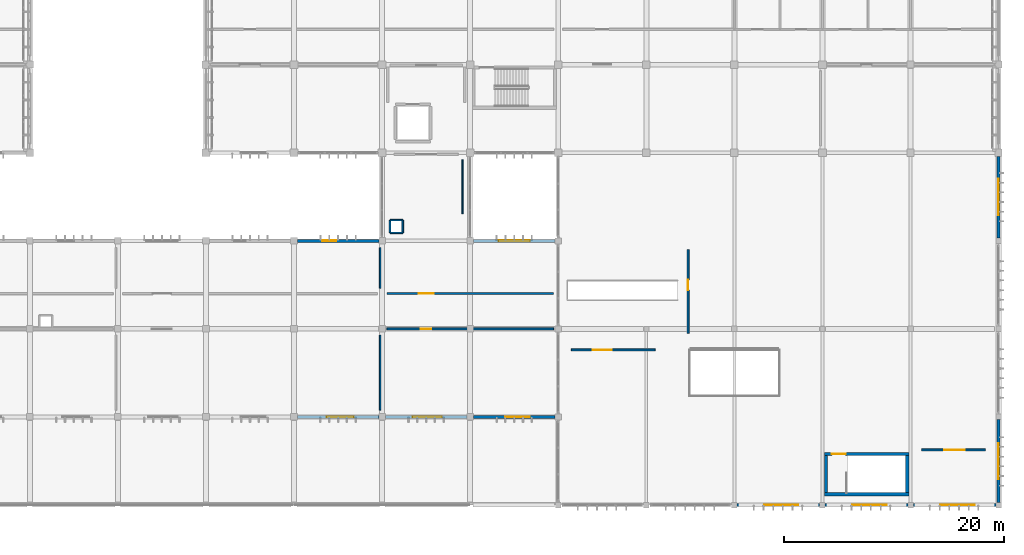
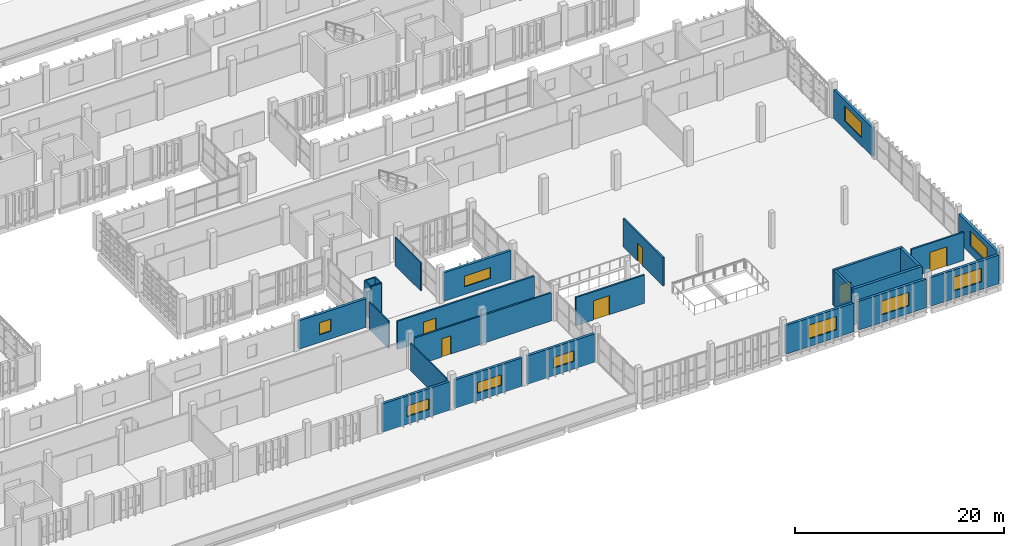
# One storey, part 118 of 137: 26 walls, 10 windows, 6 doors, 16 openings.
"""IFC4 building model written with IfcOpenShell, lengths in metres."""

from ifc_helpers import new_model, si_unit, direction, frame, frame_2d, origin, place, context, subcontext, project, spatial, rectangle, extrude, material, layer, layer_set, type_object, element, fill, save


model = new_model("IFC4")

# Units and contexts
model_context = context("Model", 3, precision=1e-05, world=origin(), true_north=direction((0.0, 1.0)))
body_context = subcontext(model_context, "Body", "Model", "MODEL_VIEW")
ifc_project = project(units=[si_unit("LENGTHUNIT", "METRE"), si_unit("AREAUNIT", "SQUARE_METRE"), si_unit("VOLUMEUNIT", "CUBIC_METRE"), si_unit("PLANEANGLEUNIT", "RADIAN"), si_unit("MASSUNIT", "GRAM", prefix="KILO")], contexts=[model_context])

# Site, building, storey
site_placement = place(None, origin())
site = spatial("IfcSite", under=ifc_project, at=site_placement, CompositionType="ELEMENT")
building_placement = place(site_placement, origin())
building = spatial("IfcBuilding", under=site, at=building_placement, Name="Jelvoka-Kovrelna Polytechnic", CompositionType="ELEMENT")
storey_placement = place(building_placement, frame((0.0, 0.0, 9.60009765625)))
storey = spatial("IfcBuildingStorey", under=building, at=storey_placement, Name="L03", CompositionType="ELEMENT", Elevation=9.60009765625)

# Wall, opening, door
ifc_material_1 = material(Name="Concrete C40/50", Category="concrete")
ifc_layer_1 = layer(ifc_material_1, 0.25)
ifc_layer_set_1 = layer_set([ifc_layer_1], Name="Concrete C40/50")
wall_type_1 = type_object("IfcWallType", Name="Wall_Core_250", PredefinedType="SOLIDWALL", material=ifc_layer_set_1)
wall_1_placement = place(storey_placement, frame((184.199951171875, 4.639892578125, 0.0), z_axis=(0.0, 0.0, 1.0), x_axis=(1.0, 0.0, 0.0)))
wall_1 = element("IfcWall", 1, at=wall_1_placement, inside=storey, type_object=wall_type_1, Name="L03 interior wall 0059", PredefinedType="SOLIDWALL", context=body_context, shape_type="SweptSolid", body=[
    extrude(rectangle(XDim=7.650146484375, YDim=0.25, at=frame_2d((3.8251953125, 0.0))), origin(), (0.0, 0.0, 1.0), 4.199951171875),
])
opening_1_placement = place(wall_1_placement, frame((0.64990234375, 0.0, 0.0)))
opening_1 = element("IfcOpeningElement", 2, at=opening_1_placement, cuts=wall_1, Name="Opening SD-L03-015", PredefinedType="OPENING", context=body_context, shape_type="SweptSolid", body=[
    extrude(rectangle(XDim=1.25, YDim=2.14990234375, at=frame_2d((0.625, 1.074951171875))), frame((0.0, 0.135009765625, 0.0), z_axis=(0.0, -1.0, 0.0), x_axis=(1.0, 0.0, 0.0)), (0.0, 0.0, 1.0), 0.27001953125),
])
ifc_material_2 = material(Name="Powder-coated steel fire door", Category="steel")
door_type_1 = type_object("IfcDoorType", Name="Door_Fire_FD02", OperationType="NOTDEFINED", PredefinedType="DOOR", material=ifc_material_2)
door_1_placement = place(opening_1_placement, origin())
door_1 = element("IfcDoor", 3, at=door_1_placement, inside=storey, type_object=door_type_1, Name="L03 interior door SD-L03-015", OperationType="SINGLE_SWING_LEFT", OverallHeight=2.14990234375, OverallWidth=1.25, PredefinedType="DOOR", context=body_context, shape_type="SweptSolid", body=[
    extrude(rectangle(XDim=1.25, YDim=2.14990234375, at=frame_2d((0.625, 1.074951171875))), frame((0.0, 0.02490234375, 0.0), z_axis=(0.0, -1.0, 0.0), x_axis=(1.0, 0.0, 0.0)), (0.0, 0.0, 1.0), 0.050048828125),
])
fill(opening_1, door_1)

# Wall
wall_2_placement = place(storey_placement, frame((184.324951171875, 1.14990234375, 0.0), z_axis=(0.0, 0.0, 1.0), x_axis=(0.0, 1.0, 0.0)))
element("IfcWall", 4, at=wall_2_placement, inside=storey, type_object=wall_type_1, Name="L03 interior wall 0060", PredefinedType="SOLIDWALL", context=body_context, shape_type="SweptSolid", body=[
    extrude(rectangle(XDim=3.360107421875, YDim=0.25, at=frame_2d((1.68017578125, 0.0))), origin(), (0.0, 0.0, 1.0), 4.199951171875),
])

# Wall, opening, door
ifc_material_3 = material(Name="Autoclaved aerated concrete blockwork", Category="masonry")
ifc_layer_2 = layer(ifc_material_3, 0.179931640625)
ifc_layer_set_2 = layer_set([ifc_layer_2], Name="Autoclaved aerated concrete blockwork")
wall_type_2 = type_object("IfcWallType", Name="Wall_Corridor_180", PredefinedType="PARTITIONING", material=ifc_layer_set_2)
wall_3_placement = place(storey_placement, frame((144.429931640625, 16.0, 0.0), z_axis=(0.0, 0.0, 1.0), x_axis=(1.0, 0.0, 0.0)))
wall_3 = element("IfcWall", 5, at=wall_3_placement, inside=storey, type_object=wall_type_2, Name="L03 interior wall 1041", PredefinedType="PARTITIONING", context=body_context, shape_type="SweptSolid", body=[
    extrude(rectangle(XDim=15.14013671875, YDim=0.179931640625, at=frame_2d((7.570068359375, 0.0))), origin(), (0.0, 0.0, 1.0), 3.27490234375),
])
opening_2_placement = place(wall_3_placement, frame((3.090087890625, 0.0, 0.0)))
opening_2 = element("IfcOpeningElement", 6, at=opening_2_placement, cuts=wall_3, Name="Opening D-L03-284", PredefinedType="OPENING", context=body_context, shape_type="SweptSolid", body=[
    extrude(rectangle(XDim=0.9599609375, YDim=2.14990234375, at=frame_2d((0.47998046875, 1.074951171875))), frame((0.0, 0.099853515625, 0.0), z_axis=(0.0, -1.0, 0.0), x_axis=(1.0, 0.0, 0.0)), (0.0, 0.0, 1.0), 0.199951171875),
])
ifc_material_4 = material(Name="Hardwood solid-core door", Category="wood")
door_type_2 = type_object("IfcDoorType", Name="Door_Int_D07", OperationType="NOTDEFINED", PredefinedType="DOOR", material=ifc_material_4)
door_2_placement = place(opening_2_placement, origin())
door_2 = element("IfcDoor", 7, at=door_2_placement, inside=storey, type_object=door_type_2, Name="L03 interior door D-L03-284", OperationType="SINGLE_SWING_LEFT", OverallHeight=2.14990234375, OverallWidth=0.9599609375, PredefinedType="DOOR", context=body_context, shape_type="SweptSolid", body=[
    extrude(rectangle(XDim=0.9599609375, YDim=2.14990234375, at=frame_2d((0.47998046875, 1.074951171875))), frame((0.0, 0.02490234375, 0.0), z_axis=(0.0, -1.0, 0.0), x_axis=(1.0, 0.0, 0.0)), (0.0, 0.0, 1.0), 0.050048828125),
])
fill(opening_2, door_2)

wall_4_placement = place(storey_placement, frame((144.429931640625, 19.199951171875, 0.0), z_axis=(0.0, 0.0, 1.0), x_axis=(1.0, 0.0, 0.0)))
wall_4 = element("IfcWall", 8, at=wall_4_placement, inside=storey, type_object=wall_type_2, Name="L03 interior wall 1049", PredefinedType="PARTITIONING", context=body_context, shape_type="SweptSolid", body=[
    extrude(rectangle(XDim=15.14013671875, YDim=0.179931640625, at=frame_2d((7.570068359375, 0.0))), origin(), (0.0, 0.0, 1.0), 3.2998046875),
])
opening_3_placement = place(wall_4_placement, frame((2.89501953125, 0.0, 0.0)))
opening_3 = element("IfcOpeningElement", 9, at=opening_3_placement, cuts=wall_4, Name="Opening D-L03-289", PredefinedType="OPENING", context=body_context, shape_type="SweptSolid", body=[
    extrude(rectangle(XDim=1.35009765625, YDim=2.199951171875, at=frame_2d((0.675048828125, 1.10009765625))), frame((0.0, 0.099853515625, 0.0), z_axis=(0.0, -1.0, 0.0), x_axis=(1.0, 0.0, 0.0)), (0.0, 0.0, 1.0), 0.199951171875),
])
ifc_material_5 = material(Name="Studio wide leaf door", Category="wood")
door_type_3 = type_object("IfcDoorType", Name="Door_Int_D15", OperationType="NOTDEFINED", PredefinedType="DOOR", material=ifc_material_5)
door_3_placement = place(opening_3_placement, origin())
door_3 = element("IfcDoor", 10, at=door_3_placement, inside=storey, type_object=door_type_3, Name="L03 interior door D-L03-289", OperationType="SINGLE_SWING_RIGHT", OverallHeight=2.199951171875, OverallWidth=1.35009765625, PredefinedType="DOOR", context=body_context, shape_type="SweptSolid", body=[
    extrude(rectangle(XDim=1.35009765625, YDim=2.199951171875, at=frame_2d((0.675048828125, 1.10009765625))), frame((0.0, 0.02490234375, 0.0), z_axis=(0.0, -1.0, 0.0), x_axis=(1.0, 0.0, 0.0)), (0.0, 0.0, 1.0), 0.050048828125),
])
fill(opening_3, door_3)

wall_5_placement = place(storey_placement, frame((171.800048828125, 15.60009765625, 0.0), z_axis=(0.0, 0.0, 1.0), x_axis=(0.0, 1.0, 0.0)))
wall_5 = element("IfcWall", 11, at=wall_5_placement, inside=storey, type_object=wall_type_2, Name="L03 interior wall 1100", PredefinedType="PARTITIONING", context=body_context, shape_type="SweptSolid", body=[
    extrude(rectangle(XDim=7.599853515625, YDim=0.179931640625, at=frame_2d((3.7998046875, 0.0))), origin(), (0.0, 0.0, 1.0), 3.2998046875),
])
opening_4_placement = place(wall_5_placement, frame((3.925048828125, 0.0, 0.0)))
opening_4 = element("IfcOpeningElement", 12, at=opening_4_placement, cuts=wall_5, Name="Opening D-L03-322", PredefinedType="OPENING", context=body_context, shape_type="SweptSolid", body=[
    extrude(rectangle(XDim=0.949951171875, YDim=2.10009765625, at=frame_2d((0.47509765625, 1.050048828125))), frame((0.0, 0.099853515625, 0.0), z_axis=(0.0, -1.0, 0.0), x_axis=(1.0, 0.0, 0.0)), (0.0, 0.0, 1.0), 0.199951171875),
])
ifc_material_6 = material(Name="Hardwood fire-resisting laboratory door", Category="wood")
door_type_4 = type_object("IfcDoorType", Name="Door_Fire_FD30_01", OperationType="NOTDEFINED", PredefinedType="DOOR", material=ifc_material_6)
door_4_placement = place(opening_4_placement, origin())
door_4 = element("IfcDoor", 13, at=door_4_placement, inside=storey, type_object=door_type_4, Name="L03 interior door D-L03-322", OperationType="SINGLE_SWING_LEFT", OverallHeight=2.10009765625, OverallWidth=0.949951171875, PredefinedType="DOOR", context=body_context, shape_type="SweptSolid", body=[
    extrude(rectangle(XDim=0.949951171875, YDim=2.10009765625, at=frame_2d((0.47509765625, 1.050048828125))), frame((0.0, 0.02490234375, 0.0), z_axis=(0.0, -1.0, 0.0), x_axis=(1.0, 0.0, 0.0)), (0.0, 0.0, 1.0), 0.050048828125),
])
fill(opening_4, door_4)

wall_6_placement = place(storey_placement, frame((161.199951171875, 14.10009765625, 0.0), z_axis=(0.0, 0.0, 1.0), x_axis=(1.0, 0.0, 0.0)))
wall_6 = element("IfcWall", 14, at=wall_6_placement, inside=storey, type_object=wall_type_2, Name="L03 interior wall 1101", PredefinedType="PARTITIONING", context=body_context, shape_type="SweptSolid", body=[
    extrude(rectangle(XDim=7.60009765625, YDim=0.179931640625, at=frame_2d((3.800048828125, 0.0))), origin(), (0.0, 0.0, 1.0), 3.2998046875),
])
opening_5_placement = place(wall_6_placement, frame((1.919921875, 0.0, 0.0)))
opening_5 = element("IfcOpeningElement", 15, at=opening_5_placement, cuts=wall_6, Name="Opening D-L03-323", PredefinedType="OPENING", context=body_context, shape_type="SweptSolid", body=[
    extrude(rectangle(XDim=1.760009765625, YDim=2.25, at=frame_2d((0.8798828125, 1.125))), frame((0.0, 0.099853515625, 0.0), z_axis=(0.0, -1.0, 0.0), x_axis=(1.0, 0.0, 0.0)), (0.0, 0.0, 1.0), 0.199951171875),
])
ifc_material_7 = material(Name="Paired refectory hall double door", Category="wood")
door_type_5 = type_object("IfcDoorType", Name="Door_Int_D21", OperationType="NOTDEFINED", PredefinedType="DOOR", material=ifc_material_7)
door_5_placement = place(opening_5_placement, origin())
door_5 = element("IfcDoor", 16, at=door_5_placement, inside=storey, type_object=door_type_5, Name="L03 interior door D-L03-323", OperationType="DOUBLE_DOOR_SINGLE_SWING", OverallHeight=2.25, OverallWidth=1.760009765625, PredefinedType="DOOR", context=body_context, shape_type="SweptSolid", body=[
    extrude(rectangle(XDim=1.760009765625, YDim=2.25, at=frame_2d((0.8798828125, 1.125))), frame((0.0, 0.02490234375, 0.0), z_axis=(0.0, -1.0, 0.0), x_axis=(1.0, 0.0, 0.0)), (0.0, 0.0, 1.0), 0.050048828125),
])
fill(opening_5, door_5)

wall_7_placement = place(storey_placement, frame((193.0, 5.0, 0.0), z_axis=(0.0, 0.0, 1.0), x_axis=(1.0, 0.0, 0.0)))
wall_7 = element("IfcWall", 17, at=wall_7_placement, inside=storey, type_object=wall_type_2, Name="L03 interior wall 1102", PredefinedType="PARTITIONING", context=body_context, shape_type="SweptSolid", body=[
    extrude(rectangle(XDim=5.800048828125, YDim=0.179931640625, at=frame_2d((2.89990234375, 0.0))), origin(), (0.0, 0.0, 1.0), 3.2998046875),
])
opening_6_placement = place(wall_7_placement, frame((2.080078125, 0.0, 0.0)))
opening_6 = element("IfcOpeningElement", 18, at=opening_6_placement, cuts=wall_7, Name="Opening D-L03-324", PredefinedType="OPENING", context=body_context, shape_type="SweptSolid", body=[
    extrude(rectangle(XDim=1.840087890625, YDim=2.25, at=frame_2d((0.919921875, 1.125))), frame((0.0, 0.099853515625, 0.0), z_axis=(0.0, -1.0, 0.0), x_axis=(1.0, 0.0, 0.0)), (0.0, 0.0, 1.0), 0.199951171875),
])
ifc_material_8 = material(Name="Paired exhibition gallery double door", Category="wood")
door_type_6 = type_object("IfcDoorType", Name="Door_Int_D22", OperationType="NOTDEFINED", PredefinedType="DOOR", material=ifc_material_8)
door_6_placement = place(opening_6_placement, origin())
door_6 = element("IfcDoor", 19, at=door_6_placement, inside=storey, type_object=door_type_6, Name="L03 interior door D-L03-324", OperationType="DOUBLE_DOOR_SINGLE_SWING", OverallHeight=2.25, OverallWidth=1.840087890625, PredefinedType="DOOR", context=body_context, shape_type="SweptSolid", body=[
    extrude(rectangle(XDim=1.840087890625, YDim=2.25, at=frame_2d((0.919921875, 1.125))), frame((0.0, 0.02490234375, 0.0), z_axis=(0.0, -1.0, 0.0), x_axis=(1.0, 0.0, 0.0)), (0.0, 0.0, 1.0), 0.050048828125),
])
fill(opening_6, door_6)

# Wall, opening, window
ifc_material_9 = material(Name="Precast concrete C40/50", Category="concrete")
ifc_layer_3 = layer(ifc_material_9, 0.280029296875)
ifc_layer_set_3 = layer_set([ifc_layer_3], Name="Precast concrete C40/50")
wall_type_3 = type_object("IfcWallType", Name="Wall_Ext_White_280", PredefinedType="STANDARD", material=ifc_layer_set_3)
wall_8_placement = place(storey_placement, frame((143.702880859375, 8.0, 0.0), z_axis=(0.0, 0.0, 1.0), x_axis=(-1.0, 0.0, 0.0)))
wall_8 = element("IfcWall", 20, at=wall_8_placement, inside=storey, type_object=wall_type_3, Name="L03 exterior wall 0301", PredefinedType="STANDARD", context=body_context, shape_type="SweptSolid", body=[
    extrude(rectangle(XDim=7.40576171875, YDim=0.280029296875, at=frame_2d((3.702880859375, 0.0))), origin(), (0.0, 0.0, 1.0), 3.324951171875),
])
opening_7_placement = place(wall_8_placement, frame((2.282958984375, 0.0, 0.89990234375)))
opening_7 = element("IfcOpeningElement", 21, at=opening_7_placement, cuts=wall_8, Name="Opening W-L03-063", PredefinedType="OPENING", context=body_context, shape_type="SweptSolid", body=[
    extrude(rectangle(XDim=2.449951171875, YDim=1.25, at=frame_2d((1.22509765625, 0.625))), frame((0.0, 0.150146484375, 0.0), z_axis=(0.0, -1.0, 0.0), x_axis=(1.0, 0.0, 0.0)), (0.0, 0.0, 1.0), 0.300048828125),
])
ifc_material_10 = material(Name="Thermally broken anodised aluminium and low-e glazing", Category="aluminium")
window_type_1 = type_object("IfcWindowType", Name="Win_Casement_W08", PartitioningType="DOUBLE_PANEL_VERTICAL", PredefinedType="WINDOW", material=ifc_material_10)
window_1_placement = place(opening_7_placement, origin())
window_1 = element("IfcWindow", 22, at=window_1_placement, inside=storey, type_object=window_type_1, Name="L03 aluminium casement window W-L03-063", OverallHeight=1.25, OverallWidth=2.449951171875, PartitioningType="DOUBLE_PANEL_VERTICAL", PredefinedType="WINDOW", context=body_context, shape_type="SweptSolid", body=[
    extrude(rectangle(XDim=2.449951171875, YDim=1.25, at=frame_2d((1.22509765625, 0.625))), frame((0.0, 0.030029296875, 0.0), z_axis=(0.0, -1.0, 0.0), x_axis=(1.0, 0.0, 0.0)), (0.0, 0.0, 1.0), 0.06005859375),
])
fill(opening_7, window_1)

wall_9_placement = place(storey_placement, frame((136.297119140625, 24.0, 0.0), z_axis=(0.0, 0.0, 1.0), x_axis=(1.0, 0.0, 0.0)))
wall_9 = element("IfcWall", 23, at=wall_9_placement, inside=storey, type_object=wall_type_3, Name="L03 exterior wall 0302", PredefinedType="STANDARD", context=body_context, shape_type="SweptSolid", body=[
    extrude(rectangle(XDim=7.40576171875, YDim=0.280029296875, at=frame_2d((3.702880859375, 0.0))), origin(), (0.0, 0.0, 1.0), 3.324951171875),
])
opening_8_placement = place(wall_9_placement, frame((2.282958984375, 0.0, 0.89990234375)))
opening_8 = element("IfcOpeningElement", 24, at=opening_8_placement, cuts=wall_9, Name="Opening W-L03-064", PredefinedType="OPENING", context=body_context, shape_type="SweptSolid", body=[
    extrude(rectangle(XDim=1.25, YDim=1.39990234375, at=frame_2d((0.625, 0.699951171875))), frame((0.0, 0.150146484375, 0.0), z_axis=(0.0, -1.0, 0.0), x_axis=(1.0, 0.0, 0.0)), (0.0, 0.0, 1.0), 0.300048828125),
])
ifc_material_11 = material(Name="Thermally broken anodised aluminium and low-e glazing", Category="aluminium")
window_type_2 = type_object("IfcWindowType", Name="Win_Casement_W12", PartitioningType="SINGLE_PANEL", PredefinedType="WINDOW", material=ifc_material_11)
window_2_placement = place(opening_8_placement, origin())
window_2 = element("IfcWindow", 25, at=window_2_placement, inside=storey, type_object=window_type_2, Name="L03 aluminium casement window W-L03-064", OverallHeight=1.39990234375, OverallWidth=1.25, PartitioningType="SINGLE_PANEL", PredefinedType="WINDOW", context=body_context, shape_type="SweptSolid", body=[
    extrude(rectangle(XDim=1.25, YDim=1.39990234375, at=frame_2d((0.625, 0.699951171875))), frame((0.0, 0.030029296875, 0.0), z_axis=(0.0, -1.0, 0.0), x_axis=(1.0, 0.0, 0.0)), (0.0, 0.0, 1.0), 0.06005859375),
])
fill(opening_8, window_2)

wall_10_placement = place(storey_placement, frame((151.702880859375, 8.0, 0.0), z_axis=(0.0, 0.0, 1.0), x_axis=(-1.0, 0.0, 0.0)))
wall_10 = element("IfcWall", 26, at=wall_10_placement, inside=storey, type_object=wall_type_3, Name="L03 exterior wall 0303", PredefinedType="STANDARD", context=body_context, shape_type="SweptSolid", body=[
    extrude(rectangle(XDim=7.40576171875, YDim=0.280029296875, at=frame_2d((3.702880859375, 0.0))), origin(), (0.0, 0.0, 1.0), 3.324951171875),
])
opening_9_placement = place(wall_10_placement, frame((2.282958984375, 0.0, 0.89990234375)))
opening_9 = element("IfcOpeningElement", 27, at=opening_9_placement, cuts=wall_10, Name="Opening W-L03-065", PredefinedType="OPENING", context=body_context, shape_type="SweptSolid", body=[
    extrude(rectangle(XDim=2.64990234375, YDim=1.25, at=frame_2d((1.324951171875, 0.625))), frame((0.0, 0.150146484375, 0.0), z_axis=(0.0, -1.0, 0.0), x_axis=(1.0, 0.0, 0.0)), (0.0, 0.0, 1.0), 0.300048828125),
])
ifc_material_12 = material(Name="Thermally broken anodised aluminium and low-e glazing", Category="aluminium")
window_type_3 = type_object("IfcWindowType", Name="Win_Casement_W09", PartitioningType="DOUBLE_PANEL_VERTICAL", PredefinedType="WINDOW", material=ifc_material_12)
window_3_placement = place(opening_9_placement, origin())
window_3 = element("IfcWindow", 28, at=window_3_placement, inside=storey, type_object=window_type_3, Name="L03 aluminium casement window W-L03-065", OverallHeight=1.25, OverallWidth=2.64990234375, PartitioningType="DOUBLE_PANEL_VERTICAL", PredefinedType="WINDOW", context=body_context, shape_type="SweptSolid", body=[
    extrude(rectangle(XDim=2.64990234375, YDim=1.25, at=frame_2d((1.324951171875, 0.625))), frame((0.0, 0.030029296875, 0.0), z_axis=(0.0, -1.0, 0.0), x_axis=(1.0, 0.0, 0.0)), (0.0, 0.0, 1.0), 0.06005859375),
])
fill(opening_9, window_3)

wall_11_placement = place(storey_placement, frame((159.72802734375, 8.0, 0.0), z_axis=(0.0, 0.0, 1.0), x_axis=(-1.0, 0.0, 0.0)))
wall_11 = element("IfcWall", 29, at=wall_11_placement, inside=storey, type_object=wall_type_3, Name="L03 exterior wall 0304", PredefinedType="STANDARD", context=body_context, shape_type="SweptSolid", body=[
    extrude(rectangle(XDim=7.430908203125, YDim=0.280029296875, at=frame_2d((3.71533203125, 0.0))), origin(), (0.0, 0.0, 1.0), 3.324951171875),
])
opening_10_placement = place(wall_11_placement, frame((2.30810546875, 0.0, 0.89990234375)))
opening_10 = element("IfcOpeningElement", 30, at=opening_10_placement, cuts=wall_11, Name="Opening W-L03-066", PredefinedType="OPENING", context=body_context, shape_type="SweptSolid", body=[
    extrude(rectangle(XDim=2.25, YDim=1.25, at=frame_2d((1.125, 0.625))), frame((0.0, 0.150146484375, 0.0), z_axis=(0.0, -1.0, 0.0), x_axis=(1.0, 0.0, 0.0)), (0.0, 0.0, 1.0), 0.300048828125),
])
ifc_material_13 = material(Name="Thermally broken anodised aluminium and low-e glazing", Category="aluminium")
window_type_4 = type_object("IfcWindowType", Name="Win_Casement_W07", PartitioningType="DOUBLE_PANEL_VERTICAL", PredefinedType="WINDOW", material=ifc_material_13)
window_4_placement = place(opening_10_placement, origin())
window_4 = element("IfcWindow", 31, at=window_4_placement, inside=storey, type_object=window_type_4, Name="L03 aluminium casement window W-L03-066", OverallHeight=1.25, OverallWidth=2.25, PartitioningType="DOUBLE_PANEL_VERTICAL", PredefinedType="WINDOW", context=body_context, shape_type="SweptSolid", body=[
    extrude(rectangle(XDim=2.25, YDim=1.25, at=frame_2d((1.125, 0.625))), frame((0.0, 0.030029296875, 0.0), z_axis=(0.0, -1.0, 0.0), x_axis=(1.0, 0.0, 0.0)), (0.0, 0.0, 1.0), 0.06005859375),
])
fill(opening_10, window_4)

wall_12_placement = place(storey_placement, frame((152.297119140625, 24.0, 0.0), z_axis=(0.0, 0.0, 1.0), x_axis=(1.0, 0.0, 0.0)))
wall_12 = element("IfcWall", 32, at=wall_12_placement, inside=storey, type_object=wall_type_3, Name="L03 exterior wall 0305", PredefinedType="STANDARD", context=body_context, shape_type="SweptSolid", body=[
    extrude(rectangle(XDim=7.430908203125, YDim=0.280029296875, at=frame_2d((3.71533203125, 0.0))), origin(), (0.0, 0.0, 1.0), 3.324951171875),
])
opening_11_placement = place(wall_12_placement, frame((2.282958984375, 0.0, 0.89990234375)))
opening_11 = element("IfcOpeningElement", 33, at=opening_11_placement, cuts=wall_12, Name="Opening W-L03-067", PredefinedType="OPENING", context=body_context, shape_type="SweptSolid", body=[
    extrude(rectangle(XDim=2.85009765625, YDim=1.25, at=frame_2d((1.425048828125, 0.625))), frame((0.0, 0.150146484375, 0.0), z_axis=(0.0, -1.0, 0.0), x_axis=(1.0, 0.0, 0.0)), (0.0, 0.0, 1.0), 0.300048828125),
])
ifc_material_14 = material(Name="Thermally broken anodised aluminium and low-e glazing", Category="aluminium")
window_type_5 = type_object("IfcWindowType", Name="Win_Casement_W10", PartitioningType="DOUBLE_PANEL_VERTICAL", PredefinedType="WINDOW", material=ifc_material_14)
window_5_placement = place(opening_11_placement, origin())
window_5 = element("IfcWindow", 34, at=window_5_placement, inside=storey, type_object=window_type_5, Name="L03 aluminium casement window W-L03-067", OverallHeight=1.25, OverallWidth=2.85009765625, PartitioningType="DOUBLE_PANEL_VERTICAL", PredefinedType="WINDOW", context=body_context, shape_type="SweptSolid", body=[
    extrude(rectangle(XDim=2.85009765625, YDim=1.25, at=frame_2d((1.425048828125, 0.625))), frame((0.0, 0.030029296875, 0.0), z_axis=(0.0, -1.0, 0.0), x_axis=(1.0, 0.0, 0.0)), (0.0, 0.0, 1.0), 0.06005859375),
])
fill(opening_11, window_5)

wall_13_placement = place(storey_placement, frame((183.7529296875, 0.0, 0.0), z_axis=(0.0, 0.0, 1.0), x_axis=(-1.0, 0.0, 0.0)))
wall_13 = element("IfcWall", 35, at=wall_13_placement, inside=storey, type_object=wall_type_3, Name="L03 exterior wall 1146", PredefinedType="STANDARD", context=body_context, shape_type="SweptSolid", body=[
    extrude(rectangle(XDim=7.505859375, YDim=0.280029296875, at=frame_2d((3.7529296875, 0.0))), origin(), (0.0, 0.0, 1.0), 3.349853515625),
])
opening_12_placement = place(wall_13_placement, frame((1.93310546875, 0.0, 0.89990234375)))
opening_12 = element("IfcOpeningElement", 36, at=opening_12_placement, cuts=wall_13, Name="Opening W-L03-582", PredefinedType="OPENING", context=body_context, shape_type="SweptSolid", body=[
    extrude(rectangle(XDim=3.10009765625, YDim=1.60009765625, at=frame_2d((1.550048828125, 0.800048828125))), frame((0.0, 0.150146484375, 0.0), z_axis=(0.0, -1.0, 0.0), x_axis=(1.0, 0.0, 0.0)), (0.0, 0.0, 1.0), 0.300048828125),
])
ifc_material_15 = material(Name="Thermally broken anodised aluminium and low-e glazing", Category="aluminium")
window_type_6 = type_object("IfcWindowType", Name="Win_Casement_W61", PartitioningType="DOUBLE_PANEL_VERTICAL", PredefinedType="WINDOW", material=ifc_material_15)
window_6_placement = place(opening_12_placement, origin())
window_6 = element("IfcWindow", 37, at=window_6_placement, inside=storey, type_object=window_type_6, Name="L03 aluminium casement window W-L03-582", OverallHeight=1.60009765625, OverallWidth=3.10009765625, PartitioningType="DOUBLE_PANEL_VERTICAL", PredefinedType="WINDOW", context=body_context, shape_type="SweptSolid", body=[
    extrude(rectangle(XDim=3.10009765625, YDim=1.60009765625, at=frame_2d((1.550048828125, 0.800048828125))), frame((0.0, 0.030029296875, 0.0), z_axis=(0.0, -1.0, 0.0), x_axis=(1.0, 0.0, 0.0)), (0.0, 0.0, 1.0), 0.06005859375),
])
fill(opening_12, window_6)

wall_14_placement = place(storey_placement, frame((191.7529296875, 0.0, 0.0), z_axis=(0.0, 0.0, 1.0), x_axis=(-1.0, 0.0, 0.0)))
wall_14 = element("IfcWall", 38, at=wall_14_placement, inside=storey, type_object=wall_type_3, Name="L03 exterior wall 1147", PredefinedType="STANDARD", context=body_context, shape_type="SweptSolid", body=[
    extrude(rectangle(XDim=7.505859375, YDim=0.280029296875, at=frame_2d((3.7529296875, 0.0))), origin(), (0.0, 0.0, 1.0), 3.349853515625),
])
opening_13_placement = place(wall_14_placement, frame((1.93310546875, 0.0, 0.89990234375)))
opening_13 = element("IfcOpeningElement", 39, at=opening_13_placement, cuts=wall_14, Name="Opening W-L03-583", PredefinedType="OPENING", context=body_context, shape_type="SweptSolid", body=[
    extrude(rectangle(XDim=3.10009765625, YDim=1.60009765625, at=frame_2d((1.550048828125, 0.800048828125))), frame((0.0, 0.150146484375, 0.0), z_axis=(0.0, -1.0, 0.0), x_axis=(1.0, 0.0, 0.0)), (0.0, 0.0, 1.0), 0.300048828125),
])
window_7_placement = place(opening_13_placement, origin())
window_7 = element("IfcWindow", 40, at=window_7_placement, inside=storey, type_object=window_type_6, Name="L03 aluminium casement window W-L03-583", OverallHeight=1.60009765625, OverallWidth=3.10009765625, PartitioningType="DOUBLE_PANEL_VERTICAL", PredefinedType="WINDOW", context=body_context, shape_type="SweptSolid", body=[
    extrude(rectangle(XDim=3.10009765625, YDim=1.60009765625, at=frame_2d((1.550048828125, 0.800048828125))), frame((0.0, 0.030029296875, 0.0), z_axis=(0.0, -1.0, 0.0), x_axis=(1.0, 0.0, 0.0)), (0.0, 0.0, 1.0), 0.06005859375),
])
fill(opening_13, window_7)

wall_15_placement = place(storey_placement, frame((199.7529296875, 0.0, 0.0), z_axis=(0.0, 0.0, 1.0), x_axis=(-1.0, 0.0, 0.0)))
wall_15 = element("IfcWall", 41, at=wall_15_placement, inside=storey, type_object=wall_type_3, Name="L03 exterior wall 1148", PredefinedType="STANDARD", context=body_context, shape_type="SweptSolid", body=[
    extrude(rectangle(XDim=7.505859375, YDim=0.280029296875, at=frame_2d((3.7529296875, 0.0))), origin(), (0.0, 0.0, 1.0), 3.349853515625),
])
opening_14_placement = place(wall_15_placement, frame((1.93310546875, 0.0, 0.89990234375)))
opening_14 = element("IfcOpeningElement", 42, at=opening_14_placement, cuts=wall_15, Name="Opening W-L03-584", PredefinedType="OPENING", context=body_context, shape_type="SweptSolid", body=[
    extrude(rectangle(XDim=3.10009765625, YDim=1.60009765625, at=frame_2d((1.550048828125, 0.800048828125))), frame((0.0, 0.150146484375, 0.0), z_axis=(0.0, -1.0, 0.0), x_axis=(1.0, 0.0, 0.0)), (0.0, 0.0, 1.0), 0.300048828125),
])
window_8_placement = place(opening_14_placement, origin())
window_8 = element("IfcWindow", 43, at=window_8_placement, inside=storey, type_object=window_type_6, Name="L03 aluminium casement window W-L03-584", OverallHeight=1.60009765625, OverallWidth=3.10009765625, PartitioningType="DOUBLE_PANEL_VERTICAL", PredefinedType="WINDOW", context=body_context, shape_type="SweptSolid", body=[
    extrude(rectangle(XDim=3.10009765625, YDim=1.60009765625, at=frame_2d((1.550048828125, 0.800048828125))), frame((0.0, 0.030029296875, 0.0), z_axis=(0.0, -1.0, 0.0), x_axis=(1.0, 0.0, 0.0)), (0.0, 0.0, 1.0), 0.06005859375),
])
fill(opening_14, window_8)

wall_16_placement = place(storey_placement, frame((200.0, 7.7529296875, 0.0), z_axis=(0.0, 0.0, 1.0), x_axis=(0.0, -1.0, 0.0)))
wall_16 = element("IfcWall", 44, at=wall_16_placement, inside=storey, type_object=wall_type_3, Name="L03 exterior wall 1149", PredefinedType="STANDARD", context=body_context, shape_type="SweptSolid", body=[
    extrude(rectangle(XDim=7.505859375, YDim=0.280029296875, at=frame_2d((3.7529296875, 0.0))), origin(), (0.0, 0.0, 1.0), 3.349853515625),
])
opening_15_placement = place(wall_16_placement, frame((2.133056640625, 0.0, 0.949951171875)))
opening_15 = element("IfcOpeningElement", 45, at=opening_15_placement, cuts=wall_16, Name="Opening W-L03-585", PredefinedType="OPENING", context=body_context, shape_type="SweptSolid", body=[
    extrude(rectangle(XDim=3.300048828125, YDim=1.75, at=frame_2d((1.64990234375, 0.875))), frame((0.0, 0.150146484375, 0.0), z_axis=(0.0, -1.0, 0.0), x_axis=(1.0, 0.0, 0.0)), (0.0, 0.0, 1.0), 0.300048828125),
])
ifc_material_16 = material(Name="Thermally broken anodised aluminium and low-e glazing", Category="aluminium")
window_type_7 = type_object("IfcWindowType", Name="Win_Casement_W62", PartitioningType="DOUBLE_PANEL_VERTICAL", PredefinedType="WINDOW", material=ifc_material_16)
window_9_placement = place(opening_15_placement, origin())
window_9 = element("IfcWindow", 46, at=window_9_placement, inside=storey, type_object=window_type_7, Name="L03 aluminium casement window W-L03-585", OverallHeight=1.75, OverallWidth=3.300048828125, PartitioningType="DOUBLE_PANEL_VERTICAL", PredefinedType="WINDOW", context=body_context, shape_type="SweptSolid", body=[
    extrude(rectangle(XDim=3.300048828125, YDim=1.75, at=frame_2d((1.64990234375, 0.875))), frame((0.0, 0.030029296875, 0.0), z_axis=(0.0, -1.0, 0.0), x_axis=(1.0, 0.0, 0.0)), (0.0, 0.0, 1.0), 0.06005859375),
])
fill(opening_15, window_9)

wall_17_placement = place(storey_placement, frame((200.0, 31.677978515625, 0.0), z_axis=(0.0, 0.0, 1.0), x_axis=(0.0, -1.0, 0.0)))
wall_17 = element("IfcWall", 47, at=wall_17_placement, inside=storey, type_object=wall_type_3, Name="L03 exterior wall 1150", PredefinedType="STANDARD", context=body_context, shape_type="SweptSolid", body=[
    extrude(rectangle(XDim=7.430908203125, YDim=0.280029296875, at=frame_2d((3.71533203125, 0.0))), origin(), (0.0, 0.0, 1.0), 3.349853515625),
])
opening_16_placement = place(wall_17_placement, frame((2.05810546875, 0.0, 0.949951171875)))
opening_16 = element("IfcOpeningElement", 48, at=opening_16_placement, cuts=wall_17, Name="Opening W-L03-586", PredefinedType="OPENING", context=body_context, shape_type="SweptSolid", body=[
    extrude(rectangle(XDim=3.300048828125, YDim=1.75, at=frame_2d((1.64990234375, 0.875))), frame((0.0, 0.150146484375, 0.0), z_axis=(0.0, -1.0, 0.0), x_axis=(1.0, 0.0, 0.0)), (0.0, 0.0, 1.0), 0.300048828125),
])
window_10_placement = place(opening_16_placement, origin())
window_10 = element("IfcWindow", 49, at=window_10_placement, inside=storey, type_object=window_type_7, Name="L03 aluminium casement window W-L03-586", OverallHeight=1.75, OverallWidth=3.300048828125, PartitioningType="DOUBLE_PANEL_VERTICAL", PredefinedType="WINDOW", context=body_context, shape_type="SweptSolid", body=[
    extrude(rectangle(XDim=3.300048828125, YDim=1.75, at=frame_2d((1.64990234375, 0.875))), frame((0.0, 0.030029296875, 0.0), z_axis=(0.0, -1.0, 0.0), x_axis=(1.0, 0.0, 0.0)), (0.0, 0.0, 1.0), 0.06005859375),
])
fill(opening_16, window_10)

# Walls
ifc_material_17 = material(Name="Acoustic gypsum stud partition")
ifc_layer_4 = layer(ifc_material_17, 0.125)
ifc_layer_set_4 = layer_set([ifc_layer_4], Name="Acoustic gypsum stud partition")
wall_type_4 = type_object("IfcWallType", Name="Wall_Partition_125", PredefinedType="PARTITIONING", material=ifc_layer_set_4)
wall_18_placement = place(storey_placement, frame((143.820068359375, 8.6201171875, 0.0), z_axis=(0.0, 0.0, 1.0), x_axis=(0.0, 1.0, 0.0)))
element("IfcWall", 50, at=wall_18_placement, inside=storey, type_object=wall_type_4, Name="L03 interior wall 1040", PredefinedType="PARTITIONING", context=body_context, shape_type="SweptSolid", body=[
    extrude(rectangle(XDim=6.809814453125, YDim=0.125, at=frame_2d((3.40478515625, 0.0))), origin(), (0.0, 0.0, 1.0), 3.224853515625),
])
wall_19_placement = place(storey_placement, frame((143.820068359375, 19.669921875, 0.0), z_axis=(0.0, 0.0, 1.0), x_axis=(0.0, 1.0, 0.0)))
element("IfcWall", 51, at=wall_19_placement, inside=storey, type_object=wall_type_4, Name="L03 interior wall 1048", PredefinedType="PARTITIONING", context=body_context, shape_type="SweptSolid", body=[
    extrude(rectangle(XDim=3.7099609375, YDim=0.125, at=frame_2d((1.85498046875, 0.0))), origin(), (0.0, 0.0, 1.0), 3.224853515625),
])
wall_20_placement = place(storey_placement, frame((151.300048828125, 26.469970703125, 0.0), z_axis=(0.0, 0.0, 1.0), x_axis=(0.0, 1.0, 0.0)))
element("IfcWall", 52, at=wall_20_placement, inside=storey, type_object=wall_type_4, Name="L03 interior wall 1080", PredefinedType="PARTITIONING", context=body_context, shape_type="SweptSolid", body=[
    extrude(rectangle(XDim=4.909912109375, YDim=0.125, at=frame_2d((2.455078125, 0.0))), origin(), (0.0, 0.0, 1.0), 3.2998046875),
])
ifc_material_18 = material(Name="Autoclaved aerated concrete blockwork", Category="masonry")
ifc_layer_5 = layer(ifc_material_18, 0.14990234375)
ifc_layer_set_5 = layer_set([ifc_layer_5], Name="Autoclaved aerated concrete blockwork")
wall_type_5 = type_object("IfcWallType", Name="Wall_Partition_150", PredefinedType="PARTITIONING", material=ifc_layer_set_5)
for number, where, z_axis, x_axis, name in (
    (53, (144.719970703125, 24.719970703125, 0.0), (0.0, 0.0, 1.0), (1.0, 0.0, 0.0), "L03 interior wall 0725"),
    (54, (145.8798828125, 24.719970703125, 0.0), (0.0, 0.0, 1.0), (0.0, 1.0, 0.0), "L03 interior wall 0726"),
    (55, (145.8798828125, 25.8798828125, 0.0), (0.0, 0.0, 1.0), (-1.0, 0.0, 0.0), "L03 interior wall 0727"),
    (56, (144.719970703125, 25.8798828125, 0.0), (0.0, 0.0, 1.0), (0.0, -1.0, 0.0), "L03 interior wall 0728"),
):
    element("IfcWall", number, at=place(storey_placement, frame(where, z_axis=z_axis, x_axis=x_axis)), inside=storey, type_object=wall_type_5, Name=name, PredefinedType="PARTITIONING", context=body_context, shape_type="SweptSolid", body=[
        extrude(rectangle(XDim=1.159912109375, YDim=0.14990234375, at=frame_2d((0.580078125, 0.0))), origin(), (0.0, 0.0, 1.0), 3.89990234375),
    ])
ifc_material_19 = material(Name="Concrete C40/50", Category="concrete")
ifc_layer_6 = layer(ifc_material_19, 0.300048828125)
ifc_layer_set_6 = layer_set([ifc_layer_6], Name="Concrete C40/50")
wall_type_6 = type_object("IfcWallType", Name="Wall_Shear_300", PredefinedType="SHEAR", material=ifc_layer_set_6)
wall_21_placement = place(storey_placement, frame((184.199951171875, 0.989990234375, 0.0), z_axis=(0.0, 0.0, 1.0), x_axis=(1.0, 0.0, 0.0)))
element("IfcWall", 57, at=wall_21_placement, inside=storey, type_object=wall_type_6, Name="L03 interior wall 0057", PredefinedType="SHEAR", context=body_context, shape_type="SweptSolid", body=[
    extrude(rectangle(XDim=7.650146484375, YDim=0.300048828125, at=frame_2d((3.8251953125, 0.0))), origin(), (0.0, 0.0, 1.0), 4.199951171875),
])
wall_22_placement = place(storey_placement, frame((191.7099609375, 1.14990234375, 0.0), z_axis=(0.0, 0.0, 1.0), x_axis=(0.0, 1.0, 0.0)))
element("IfcWall", 58, at=wall_22_placement, inside=storey, type_object=wall_type_6, Name="L03 interior wall 0058", PredefinedType="SHEAR", context=body_context, shape_type="SweptSolid", body=[
    extrude(rectangle(XDim=3.360107421875, YDim=0.300048828125, at=frame_2d((1.68017578125, 0.0))), origin(), (0.0, 0.0, 1.0), 4.199951171875),
])

save(model, "model.ifc")
